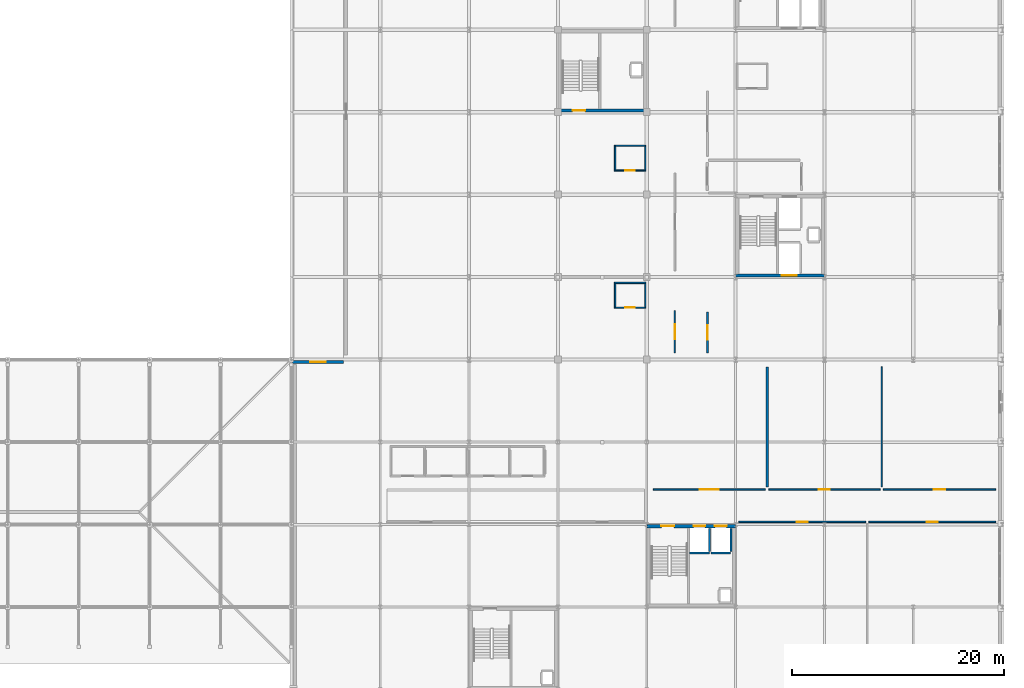
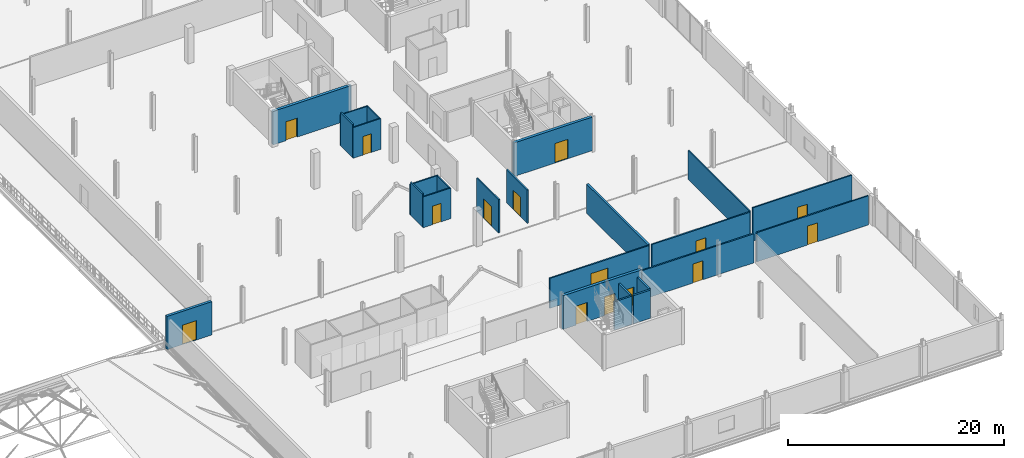
# One storey, part 59 of 77: 25 walls, 15 doors, 15 openings.
"""IFC4 building model written with IfcOpenShell, lengths in metres."""

from ifc_helpers import new_model, si_unit, direction, frame, frame_2d, origin, place, context, subcontext, project, spatial, rectangle, extrude, material, layer, layer_set, type_object, element, fill, save


model = new_model("IFC4")

# Units and contexts
model_context = context("Model", 3, precision=1e-05, world=origin(), true_north=direction((0.0, 1.0)))
body_context = subcontext(model_context, "Body", "Model", "MODEL_VIEW")
ifc_project = project(units=[si_unit("LENGTHUNIT", "METRE"), si_unit("AREAUNIT", "SQUARE_METRE"), si_unit("VOLUMEUNIT", "CUBIC_METRE"), si_unit("PLANEANGLEUNIT", "RADIAN"), si_unit("MASSUNIT", "GRAM", prefix="KILO")], contexts=[model_context])

# Site, building, storey
site_placement = place(None, origin())
site = spatial("IfcSite", under=ifc_project, at=site_placement, CompositionType="ELEMENT")
building_placement = place(site_placement, origin())
building = spatial("IfcBuilding", under=site, at=building_placement, Name="Nabrawat Pavilion Hospital", CompositionType="ELEMENT")
storey_placement = place(building_placement, frame((0.0, 0.0, 14.85009765625)))
storey = spatial("IfcBuildingStorey", under=building, at=storey_placement, Name="L03", CompositionType="ELEMENT", Elevation=14.85009765625)

# Wall, opening, door
ifc_material_1 = material(Name="Gypsum Fireboard on Steel Stud", Category="steel")
ifc_layer_1 = layer(ifc_material_1, 0.14990234375, Name="Gypsum Fireboard on Steel Stud")
ifc_layer_set_1 = layer_set([ifc_layer_1], Name="Gypsum Fireboard on Steel Stud")
wall_type_1 = type_object("IfcWallType", Name="Clinical Corridor Smoke-Barrier Wall 150", PredefinedType="PARTITIONING", material=ifc_layer_set_1)
wall_1_placement = place(storey_placement, frame((168.320068359375, 23.659912109375, 0.0), z_axis=(0.0, 0.0, 1.0), x_axis=(1.0, 0.0, 0.0)))
wall_1 = element("IfcWall", 1, at=wall_1_placement, inside=storey, type_object=wall_type_1, Name="L03 Outpatient Clinic Nephrology Room L03-03 Front Partition", PredefinedType="PARTITIONING", context=body_context, shape_type="SweptSolid", body=[
    extrude(rectangle(XDim=11.969970703125, YDim=0.14990234375, at=frame_2d((5.98486328125, 0.0))), origin(), (0.0, 0.0, 1.0), 3.2998046875),
])
opening_1_placement = place(wall_1_placement, frame((5.4599609375, 0.0, 0.0)))
opening_1 = element("IfcOpeningElement", 2, at=opening_1_placement, cuts=wall_1, Name="Opening D-OPC-R", PredefinedType="OPENING", context=body_context, shape_type="SweptSolid", body=[
    extrude(rectangle(XDim=1.050048828125, YDim=2.14990234375, at=frame_2d((0.52490234375, 1.074951171875))), frame((0.0, 0.0849609375, 0.0), z_axis=(0.0, -1.0, 0.0), x_axis=(1.0, 0.0, 0.0)), (0.0, 0.0, 1.0), 0.169921875),
])
ifc_material_2 = material(Name="Stainless-Clad Acoustic Timber and Vision Glass", Category="wood")
door_type_1 = type_object("IfcDoorType", Name="Outpatient Clinic Consultation Door R 1050x2150", OperationType="NOTDEFINED", PredefinedType="DOOR", material=ifc_material_2)
door_1_placement = place(opening_1_placement, origin())
door_1 = element("IfcDoor", 3, at=door_1_placement, inside=storey, type_object=door_type_1, Name="Outpatient Clinic Nephrology Room L03-03 Door", OperationType="SINGLE_SWING_LEFT", OverallHeight=2.14990234375, OverallWidth=1.050048828125, PredefinedType="DOOR", context=body_context, shape_type="SweptSolid", body=[
    extrude(rectangle(XDim=1.050048828125, YDim=2.14990234375, at=frame_2d((0.52490234375, 1.074951171875))), frame((0.0, 0.02490234375, 0.0), z_axis=(0.0, -1.0, 0.0), x_axis=(1.0, 0.0, 0.0)), (0.0, 0.0, 1.0), 0.050048828125),
])
fill(opening_1, door_1)

wall_2_placement = place(storey_placement, frame((180.610107421875, 23.659912109375, 0.0), z_axis=(0.0, 0.0, 1.0), x_axis=(1.0, 0.0, 0.0)))
wall_2 = element("IfcWall", 4, at=wall_2_placement, inside=storey, type_object=wall_type_1, Name="L03 Outpatient Clinic Gastroenterology Room L03-04 Front Partition", PredefinedType="PARTITIONING", context=body_context, shape_type="SweptSolid", body=[
    extrude(rectangle(XDim=11.969970703125, YDim=0.14990234375, at=frame_2d((5.98486328125, 0.0))), origin(), (0.0, 0.0, 1.0), 3.2998046875),
])
opening_2_placement = place(wall_2_placement, frame((5.4599609375, 0.0, 0.0)))
opening_2 = element("IfcOpeningElement", 5, at=opening_2_placement, cuts=wall_2, Name="Opening D-OPC-L", PredefinedType="OPENING", context=body_context, shape_type="SweptSolid", body=[
    extrude(rectangle(XDim=1.050048828125, YDim=2.14990234375, at=frame_2d((0.52490234375, 1.074951171875))), frame((0.0, 0.0849609375, 0.0), z_axis=(0.0, -1.0, 0.0), x_axis=(1.0, 0.0, 0.0)), (0.0, 0.0, 1.0), 0.169921875),
])
door_type_2 = type_object("IfcDoorType", Name="Outpatient Clinic Consultation Door L 1050x2150", OperationType="NOTDEFINED", PredefinedType="DOOR", material=ifc_material_2)
door_2_placement = place(opening_2_placement, origin())
door_2 = element("IfcDoor", 6, at=door_2_placement, inside=storey, type_object=door_type_2, Name="Outpatient Clinic Gastroenterology Room L03-04 Door", OperationType="SINGLE_SWING_RIGHT", OverallHeight=2.14990234375, OverallWidth=1.050048828125, PredefinedType="DOOR", context=body_context, shape_type="SweptSolid", body=[
    extrude(rectangle(XDim=1.050048828125, YDim=2.14990234375, at=frame_2d((0.52490234375, 1.074951171875))), frame((0.0, 0.02490234375, 0.0), z_axis=(0.0, -1.0, 0.0), x_axis=(1.0, 0.0, 0.0)), (0.0, 0.0, 1.0), 0.050048828125),
])
fill(opening_2, door_2)

wall_3_placement = place(storey_placement, frame((160.219970703125, 26.739990234375, 0.0), z_axis=(0.0, 0.0, 1.0), x_axis=(1.0, 0.0, 0.0)))
wall_3 = element("IfcWall", 7, at=wall_3_placement, inside=storey, type_object=wall_type_1, Name="L03 Day-Case Operating Room L03-05 Front Partition", PredefinedType="PARTITIONING", context=body_context, shape_type="SweptSolid", body=[
    extrude(rectangle(XDim=10.60009765625, YDim=0.14990234375, at=frame_2d((5.300048828125, 0.0))), origin(), (0.0, 0.0, 1.0), 3.39990234375),
])
opening_3_placement = place(wall_3_placement, frame((4.39990234375, 0.0, 0.0)))
opening_3 = element("IfcOpeningElement", 8, at=opening_3_placement, cuts=wall_3, Name="Opening D-OR", PredefinedType="OPENING", context=body_context, shape_type="SweptSolid", body=[
    extrude(rectangle(XDim=1.800048828125, YDim=2.39990234375, at=frame_2d((0.89990234375, 1.199951171875))), frame((0.0, 0.0849609375, 0.0), z_axis=(0.0, -1.0, 0.0), x_axis=(1.0, 0.0, 0.0)), (0.0, 0.0, 1.0), 0.169921875),
])
door_type_3 = type_object("IfcDoorType", Name="D-OR Hermetic Operating Theatre Automatic Door 1800x2400", OperationType="DOUBLE_DOOR_SLIDING", PredefinedType="DOOR", material=ifc_material_2)
door_3_placement = place(opening_3_placement, origin())
door_3 = element("IfcDoor", 9, at=door_3_placement, inside=storey, type_object=door_type_3, Name="Day-Case Operating Room L03-05 Door", OperationType="DOUBLE_DOOR_SLIDING", OverallHeight=2.39990234375, OverallWidth=1.800048828125, PredefinedType="DOOR", context=body_context, shape_type="SweptSolid", body=[
    extrude(rectangle(XDim=1.800048828125, YDim=2.39990234375, at=frame_2d((0.89990234375, 1.199951171875))), frame((0.0, 0.02490234375, 0.0), z_axis=(0.0, -1.0, 0.0), x_axis=(1.0, 0.0, 0.0)), (0.0, 0.0, 1.0), 0.050048828125),
])
fill(opening_3, door_3)

wall_4_placement = place(storey_placement, frame((171.139892578125, 26.739990234375, 0.0), z_axis=(0.0, 0.0, 1.0), x_axis=(1.0, 0.0, 0.0)))
wall_4 = element("IfcWall", 10, at=wall_4_placement, inside=storey, type_object=wall_type_1, Name="L03 Day-Case Recovery Lounge L03-06 Front Partition", PredefinedType="PARTITIONING", context=body_context, shape_type="SweptSolid", body=[
    extrude(rectangle(XDim=10.52001953125, YDim=0.14990234375, at=frame_2d((5.260009765625, 0.0))), origin(), (0.0, 0.0, 1.0), 3.39990234375),
])
opening_4_placement = place(wall_4_placement, frame((4.735107421875, 0.0, 0.0)))
opening_4 = element("IfcOpeningElement", 11, at=opening_4_placement, cuts=wall_4, Name="Opening D-OPC-L", PredefinedType="OPENING", context=body_context, shape_type="SweptSolid", body=[
    extrude(rectangle(XDim=1.050048828125, YDim=2.14990234375, at=frame_2d((0.52490234375, 1.074951171875))), frame((0.0, 0.0849609375, 0.0), z_axis=(0.0, -1.0, 0.0), x_axis=(1.0, 0.0, 0.0)), (0.0, 0.0, 1.0), 0.169921875),
])
door_4_placement = place(opening_4_placement, origin())
door_4 = element("IfcDoor", 12, at=door_4_placement, inside=storey, type_object=door_type_2, Name="Day-Case Recovery Lounge L03-06 Door", OperationType="SINGLE_SWING_RIGHT", OverallHeight=2.14990234375, OverallWidth=1.050048828125, PredefinedType="DOOR", context=body_context, shape_type="SweptSolid", body=[
    extrude(rectangle(XDim=1.050048828125, YDim=2.14990234375, at=frame_2d((0.52490234375, 1.074951171875))), frame((0.0, 0.02490234375, 0.0), z_axis=(0.0, -1.0, 0.0), x_axis=(1.0, 0.0, 0.0)), (0.0, 0.0, 1.0), 0.050048828125),
])
fill(opening_4, door_4)

wall_5_placement = place(storey_placement, frame((181.97998046875, 26.739990234375, 0.0), z_axis=(0.0, 0.0, 1.0), x_axis=(1.0, 0.0, 0.0)))
wall_5 = element("IfcWall", 13, at=wall_5_placement, inside=storey, type_object=wall_type_1, Name="L03 Outpatient Clinic Oncology Consultation Room L03-07 Front Partition", PredefinedType="PARTITIONING", context=body_context, shape_type="SweptSolid", body=[
    extrude(rectangle(XDim=10.60009765625, YDim=0.14990234375, at=frame_2d((5.300048828125, 0.0))), origin(), (0.0, 0.0, 1.0), 3.77001953125),
])
opening_5_placement = place(wall_5_placement, frame((4.77490234375, 0.0, 0.0)))
opening_5 = element("IfcOpeningElement", 14, at=opening_5_placement, cuts=wall_5, Name="Opening D-OPC-R", PredefinedType="OPENING", context=body_context, shape_type="SweptSolid", body=[
    extrude(rectangle(XDim=1.050048828125, YDim=2.14990234375, at=frame_2d((0.52490234375, 1.074951171875))), frame((0.0, 0.0849609375, 0.0), z_axis=(0.0, -1.0, 0.0), x_axis=(1.0, 0.0, 0.0)), (0.0, 0.0, 1.0), 0.169921875),
])
door_5_placement = place(opening_5_placement, origin())
door_5 = element("IfcDoor", 15, at=door_5_placement, inside=storey, type_object=door_type_1, Name="Outpatient Clinic Oncology Consultation Room L03-07 Door", OperationType="SINGLE_SWING_LEFT", OverallHeight=2.14990234375, OverallWidth=1.050048828125, PredefinedType="DOOR", context=body_context, shape_type="SweptSolid", body=[
    extrude(rectangle(XDim=1.050048828125, YDim=2.14990234375, at=frame_2d((0.52490234375, 1.074951171875))), frame((0.0, 0.02490234375, 0.0), z_axis=(0.0, -1.0, 0.0), x_axis=(1.0, 0.0, 0.0)), (0.0, 0.0, 1.0), 0.050048828125),
])
fill(opening_5, door_5)

wall_6_placement = place(storey_placement, frame((162.260009765625, 39.6201171875, 0.0), z_axis=(0.0, 0.0, 1.0), x_axis=(0.0, 1.0, 0.0)))
wall_6 = element("IfcWall", 16, at=wall_6_placement, inside=storey, type_object=wall_type_1, Name="L03 Inpatient Ward Cardiology Single Bedroom L03-01 Front Partition", PredefinedType="PARTITIONING", context=body_context, shape_type="SweptSolid", body=[
    extrude(rectangle(XDim=4.0498046875, YDim=0.14990234375, at=frame_2d((2.02490234375, 0.0))), origin(), (0.0, 0.0, 1.0), 3.77001953125),
])
opening_6_placement = place(wall_6_placement, frame((1.324951171875, 0.0, 0.0)))
opening_6 = element("IfcOpeningElement", 17, at=opening_6_placement, cuts=wall_6, Name="Opening D-BED", PredefinedType="OPENING", context=body_context, shape_type="SweptSolid", body=[
    extrude(rectangle(XDim=1.39990234375, YDim=2.199951171875, at=frame_2d((0.699951171875, 1.10009765625))), frame((0.0, 0.0849609375, 0.0), z_axis=(0.0, -1.0, 0.0), x_axis=(1.0, 0.0, 0.0)), (0.0, 0.0, 1.0), 0.169921875),
])
door_type_4 = type_object("IfcDoorType", Name="D-BED Inpatient Ward Leaf-and-a-Half Door 1400x2200", OperationType="NOTDEFINED", PredefinedType="DOOR", material=ifc_material_2)
door_6_placement = place(opening_6_placement, origin())
door_6 = element("IfcDoor", 18, at=door_6_placement, inside=storey, type_object=door_type_4, Name="Inpatient Ward Cardiology Single Bedroom L03-01 Door", OperationType="SINGLE_SWING_RIGHT", OverallHeight=2.199951171875, OverallWidth=1.39990234375, PredefinedType="DOOR", context=body_context, shape_type="SweptSolid", body=[
    extrude(rectangle(XDim=1.39990234375, YDim=2.199951171875, at=frame_2d((0.699951171875, 1.10009765625))), frame((0.0, 0.02490234375, 0.0), z_axis=(0.0, -1.0, 0.0), x_axis=(1.0, 0.0, 0.0)), (0.0, 0.0, 1.0), 0.050048828125),
])
fill(opening_6, door_6)

wall_7_placement = place(storey_placement, frame((165.340087890625, 39.6201171875, 0.0), z_axis=(0.0, 0.0, 1.0), x_axis=(0.0, 1.0, 0.0)))
wall_7 = element("IfcWall", 19, at=wall_7_placement, inside=storey, type_object=wall_type_1, Name="L03 Inpatient Ward Cardiology Single Bedroom L03-07 Front Partition", PredefinedType="PARTITIONING", context=body_context, shape_type="SweptSolid", body=[
    extrude(rectangle(XDim=3.8798828125, YDim=0.14990234375, at=frame_2d((1.93994140625, 0.0))), origin(), (0.0, 0.0, 1.0), 3.77001953125),
])
opening_7_placement = place(wall_7_placement, frame((1.239990234375, 0.0, 0.0)))
opening_7 = element("IfcOpeningElement", 20, at=opening_7_placement, cuts=wall_7, Name="Opening D-BED", PredefinedType="OPENING", context=body_context, shape_type="SweptSolid", body=[
    extrude(rectangle(XDim=1.39990234375, YDim=2.199951171875, at=frame_2d((0.699951171875, 1.10009765625))), frame((0.0, 0.0849609375, 0.0), z_axis=(0.0, -1.0, 0.0), x_axis=(1.0, 0.0, 0.0)), (0.0, 0.0, 1.0), 0.169921875),
])
door_7_placement = place(opening_7_placement, origin())
door_7 = element("IfcDoor", 21, at=door_7_placement, inside=storey, type_object=door_type_4, Name="Inpatient Ward Cardiology Single Bedroom L03-07 Door", OperationType="SINGLE_SWING_RIGHT", OverallHeight=2.199951171875, OverallWidth=1.39990234375, PredefinedType="DOOR", context=body_context, shape_type="SweptSolid", body=[
    extrude(rectangle(XDim=1.39990234375, YDim=2.199951171875, at=frame_2d((0.699951171875, 1.10009765625))), frame((0.0, 0.02490234375, 0.0), z_axis=(0.0, -1.0, 0.0), x_axis=(1.0, 0.0, 0.0)), (0.0, 0.0, 1.0), 0.050048828125),
])
fill(opening_7, door_7)

ifc_material_3 = material(Name="Cement Board on Steel Stud", Category="steel")
ifc_layer_2 = layer(ifc_material_3, 0.1298828125, Name="Cement Board on Steel Stud")
ifc_layer_set_2 = layer_set([ifc_layer_2], Name="Cement Board on Steel Stud")
wall_type_2 = type_object("IfcWallType", Name="En-Suite Moisture-Resistant Partition 130", PredefinedType="PARTITIONING", material=ifc_layer_set_2)
wall_8_placement = place(storey_placement, frame((156.544921875, 43.909912109375, 0.0), z_axis=(0.0, 0.0, 1.0), x_axis=(1.0, 0.0, 0.0)))
wall_8 = element("IfcWall", 22, at=wall_8_placement, inside=storey, type_object=wall_type_2, Name="L03 En-Suite Bathroom WRD-CRD-01 Front Partition", PredefinedType="PARTITIONING", context=body_context, shape_type="SweptSolid", body=[
    extrude(rectangle(XDim=2.97998046875, YDim=0.1298828125, at=frame_2d((1.489990234375, 0.0))), origin(), (0.0, 0.0, 1.0), 3.47998046875),
])
opening_8_placement = place(wall_8_placement, frame((1.0400390625, 0.0, 0.0)))
opening_8 = element("IfcOpeningElement", 23, at=opening_8_placement, cuts=wall_8, Name="Opening D-ENS-R", PredefinedType="OPENING", context=body_context, shape_type="SweptSolid", body=[
    extrude(rectangle(XDim=0.89990234375, YDim=2.10009765625, at=frame_2d((0.449951171875, 1.050048828125))), frame((0.0, 0.074951171875, 0.0), z_axis=(0.0, -1.0, 0.0), x_axis=(1.0, 0.0, 0.0)), (0.0, 0.0, 1.0), 0.14990234375),
])
door_type_5 = type_object("IfcDoorType", Name="En-Suite Bathroom Outward Door R 900x2100", OperationType="NOTDEFINED", PredefinedType="DOOR", material=ifc_material_2)
door_8_placement = place(opening_8_placement, origin())
door_8 = element("IfcDoor", 24, at=door_8_placement, inside=storey, type_object=door_type_5, Name="En-Suite Bathroom WRD-CRD-01 Door", OperationType="SINGLE_SWING_LEFT", OverallHeight=2.10009765625, OverallWidth=0.89990234375, PredefinedType="DOOR", context=body_context, shape_type="SweptSolid", body=[
    extrude(rectangle(XDim=0.89990234375, YDim=2.10009765625, at=frame_2d((0.449951171875, 1.050048828125))), frame((0.0, 0.02490234375, 0.0), z_axis=(0.0, -1.0, 0.0), x_axis=(1.0, 0.0, 0.0)), (0.0, 0.0, 1.0), 0.050048828125),
])
fill(opening_8, door_8)

# Walls
wall_9_placement = place(storey_placement, frame((156.544921875, 46.260009765625, 0.0), z_axis=(0.0, 0.0, 1.0), x_axis=(1.0, 0.0, 0.0)))
element("IfcWall", 25, at=wall_9_placement, inside=storey, type_object=wall_type_2, Name="L03 En-Suite Bathroom WRD-CRD-01 North Partition", PredefinedType="PARTITIONING", context=body_context, shape_type="SweptSolid", body=[
    extrude(rectangle(XDim=2.97998046875, YDim=0.1298828125, at=frame_2d((1.489990234375, 0.0))), origin(), (0.0, 0.0, 1.0), 3.47998046875),
])
wall_10_placement = place(storey_placement, frame((156.610107421875, 43.97509765625, 0.0), z_axis=(0.0, 0.0, 1.0), x_axis=(0.0, 1.0, 0.0)))
element("IfcWall", 26, at=wall_10_placement, inside=storey, type_object=wall_type_2, Name="L03 En-Suite Bathroom WRD-CRD-01 West Partition", PredefinedType="PARTITIONING", context=body_context, shape_type="SweptSolid", body=[
    extrude(rectangle(XDim=2.219970703125, YDim=0.1298828125, at=frame_2d((1.10986328125, 0.0))), origin(), (0.0, 0.0, 1.0), 3.77001953125),
])
wall_11_placement = place(storey_placement, frame((159.4599609375, 43.97509765625, 0.0), z_axis=(0.0, 0.0, 1.0), x_axis=(0.0, 1.0, 0.0)))
element("IfcWall", 27, at=wall_11_placement, inside=storey, type_object=wall_type_2, Name="L03 En-Suite Bathroom WRD-CRD-01 East Partition", PredefinedType="PARTITIONING", context=body_context, shape_type="SweptSolid", body=[
    extrude(rectangle(XDim=2.219970703125, YDim=0.1298828125, at=frame_2d((1.10986328125, 0.0))), origin(), (0.0, 0.0, 1.0), 3.47998046875),
])

# Wall, opening, door
wall_12_placement = place(storey_placement, frame((156.544921875, 56.8798828125, 0.0), z_axis=(0.0, 0.0, 1.0), x_axis=(1.0, 0.0, 0.0)))
wall_12 = element("IfcWall", 28, at=wall_12_placement, inside=storey, type_object=wall_type_2, Name="L03 En-Suite Bathroom WRD-CR2-02 Front Partition", PredefinedType="PARTITIONING", context=body_context, shape_type="SweptSolid", body=[
    extrude(rectangle(XDim=2.97998046875, YDim=0.1298828125, at=frame_2d((1.489990234375, 0.0))), origin(), (0.0, 0.0, 1.0), 3.47998046875),
])
opening_9_placement = place(wall_12_placement, frame((1.0400390625, 0.0, 0.0)))
opening_9 = element("IfcOpeningElement", 29, at=opening_9_placement, cuts=wall_12, Name="Opening D-ENS-R", PredefinedType="OPENING", context=body_context, shape_type="SweptSolid", body=[
    extrude(rectangle(XDim=0.89990234375, YDim=2.10009765625, at=frame_2d((0.449951171875, 1.050048828125))), frame((0.0, 0.074951171875, 0.0), z_axis=(0.0, -1.0, 0.0), x_axis=(1.0, 0.0, 0.0)), (0.0, 0.0, 1.0), 0.14990234375),
])
door_9_placement = place(opening_9_placement, origin())
door_9 = element("IfcDoor", 30, at=door_9_placement, inside=storey, type_object=door_type_5, Name="En-Suite Bathroom WRD-CR2-02 Door", OperationType="SINGLE_SWING_LEFT", OverallHeight=2.10009765625, OverallWidth=0.89990234375, PredefinedType="DOOR", context=body_context, shape_type="SweptSolid", body=[
    extrude(rectangle(XDim=0.89990234375, YDim=2.10009765625, at=frame_2d((0.449951171875, 1.050048828125))), frame((0.0, 0.02490234375, 0.0), z_axis=(0.0, -1.0, 0.0), x_axis=(1.0, 0.0, 0.0)), (0.0, 0.0, 1.0), 0.050048828125),
])
fill(opening_9, door_9)

# Walls
wall_13_placement = place(storey_placement, frame((156.544921875, 59.22998046875, 0.0), z_axis=(0.0, 0.0, 1.0), x_axis=(1.0, 0.0, 0.0)))
element("IfcWall", 31, at=wall_13_placement, inside=storey, type_object=wall_type_2, Name="L03 En-Suite Bathroom WRD-CR2-02 North Partition", PredefinedType="PARTITIONING", context=body_context, shape_type="SweptSolid", body=[
    extrude(rectangle(XDim=2.97998046875, YDim=0.1298828125, at=frame_2d((1.489990234375, 0.0))), origin(), (0.0, 0.0, 1.0), 3.47998046875),
])
wall_14_placement = place(storey_placement, frame((156.610107421875, 56.945068359375, 0.0), z_axis=(0.0, 0.0, 1.0), x_axis=(0.0, 1.0, 0.0)))
element("IfcWall", 32, at=wall_14_placement, inside=storey, type_object=wall_type_2, Name="L03 En-Suite Bathroom WRD-CR2-02 West Partition", PredefinedType="PARTITIONING", context=body_context, shape_type="SweptSolid", body=[
    extrude(rectangle(XDim=2.219970703125, YDim=0.1298828125, at=frame_2d((1.10986328125, 0.0))), origin(), (0.0, 0.0, 1.0), 3.77001953125),
])
wall_15_placement = place(storey_placement, frame((159.4599609375, 56.945068359375, 0.0), z_axis=(0.0, 0.0, 1.0), x_axis=(0.0, 1.0, 0.0)))
element("IfcWall", 33, at=wall_15_placement, inside=storey, type_object=wall_type_2, Name="L03 En-Suite Bathroom WRD-CR2-02 East Partition", PredefinedType="PARTITIONING", context=body_context, shape_type="SweptSolid", body=[
    extrude(rectangle(XDim=2.219970703125, YDim=0.1298828125, at=frame_2d((1.10986328125, 0.0))), origin(), (0.0, 0.0, 1.0), 3.47998046875),
])

# Wall, opening, door
ifc_material_4 = material(Name="Precast concrete C40/50", Category="concrete")
ifc_layer_3 = layer(ifc_material_4, 0.280029296875, Name="Precast concrete C40/50")
ifc_layer_set_3 = layer_set([ifc_layer_3], Name="Precast concrete C40/50")
wall_type_3 = type_object("IfcWallType", Name="Insulated Precast Facade Wall 280", PredefinedType="SOLIDWALL", material=ifc_layer_set_3)
wall_16_placement = place(storey_placement, frame((126.1201171875, 38.780029296875, 0.0), z_axis=(0.0, 0.0, 1.0), x_axis=(1.0, 0.0, 0.0)))
wall_16 = element("IfcWall", 34, at=wall_16_placement, inside=storey, type_object=wall_type_3, Name="L03 Insulated Precast Facade Wall 280 328", PredefinedType="SOLIDWALL", context=body_context, shape_type="SweptSolid", body=[
    extrude(rectangle(XDim=4.7998046875, YDim=0.280029296875, at=frame_2d((2.39990234375, 0.0))), origin(), (0.0, 0.0, 1.0), 3.77001953125),
])
opening_10_placement = place(wall_16_placement, frame((1.64990234375, 0.0, 0.0)))
opening_10 = element("IfcOpeningElement", 35, at=opening_10_placement, cuts=wall_16, Name="Opening ED-TER-150", PredefinedType="OPENING", context=body_context, shape_type="SweptSolid", body=[
    extrude(rectangle(XDim=1.5, YDim=2.199951171875, at=frame_2d((0.75, 1.10009765625))), frame((0.0, 0.14990234375, 0.0), z_axis=(0.0, -1.0, 0.0), x_axis=(1.0, 0.0, 0.0)), (0.0, 0.0, 1.0), 0.300048828125),
])
ifc_material_5 = material(Name="Powder-Coated Galvanised Steel and Safety Glass", Category="steel")
door_type_6 = type_object("IfcDoorType", Name="Clinical Recovery Terrace Double Door 1500x2200", OperationType="NOTDEFINED", PredefinedType="DOOR", material=ifc_material_5)
door_10_placement = place(opening_10_placement, origin())
door_10 = element("IfcDoor", 36, at=door_10_placement, inside=storey, type_object=door_type_6, Name="L03 Clinical Recovery Terrace Door T_L03_WARD_STEP1_S", OperationType="DOUBLE_DOOR_SINGLE_SWING", OverallHeight=2.199951171875, OverallWidth=1.5, PredefinedType="DOOR", context=body_context, shape_type="SweptSolid", body=[
    extrude(rectangle(XDim=1.5, YDim=2.199951171875, at=frame_2d((0.75, 1.10009765625))), frame((0.0, 0.02490234375, 0.0), z_axis=(0.0, -1.0, 0.0), x_axis=(1.0, 0.0, 0.0)), (0.0, 0.0, 1.0), 0.050048828125),
])
fill(opening_10, door_10)

# Walls
ifc_material_6 = material(Name="Concrete C35/45", Category="concrete")
ifc_layer_4 = layer(ifc_material_6, 0.199951171875, Name="Concrete C35/45")
ifc_layer_set_4 = layer_set([ifc_layer_4], Name="Concrete C35/45")
wall_type_4 = type_object("IfcWallType", Name="Lift and Riser Fire Shaft Wall 200", PredefinedType="PARTITIONING", material=ifc_layer_set_4)
wall_17_placement = place(storey_placement, frame((165.5400390625, 20.8798828125, 0.0), z_axis=(0.0, 0.0, 1.0), x_axis=(0.0, 1.0, 0.0)))
element("IfcWall", 37, at=wall_17_placement, inside=storey, type_object=wall_type_4, Name="L03 Lift LP-03 Shaft East Wall", PredefinedType="PARTITIONING", context=body_context, shape_type="SweptSolid", body=[
    extrude(rectangle(XDim=2.14013671875, YDim=0.199951171875, at=frame_2d((1.070068359375, 0.0))), origin(), (0.0, 0.0, 1.0), 3.199951171875),
])
wall_18_placement = place(storey_placement, frame((163.64990234375, 20.719970703125, 0.0), z_axis=(0.0, 0.0, 1.0), x_axis=(1.0, 0.0, 0.0)))
element("IfcWall", 38, at=wall_18_placement, inside=storey, type_object=wall_type_4, Name="L03 Lift LP-03 Shaft Back Wall", PredefinedType="PARTITIONING", context=body_context, shape_type="SweptSolid", body=[
    extrude(rectangle(XDim=1.860107421875, YDim=0.199951171875, at=frame_2d((0.93017578125, 0.0))), origin(), (0.0, 0.0, 1.0), 3.199951171875),
])
wall_19_placement = place(storey_placement, frame((167.56005859375, 20.8798828125, 0.0), z_axis=(0.0, 0.0, 1.0), x_axis=(0.0, 1.0, 0.0)))
element("IfcWall", 39, at=wall_19_placement, inside=storey, type_object=wall_type_4, Name="L03 Lift LP-04 Shaft East Wall", PredefinedType="PARTITIONING", context=body_context, shape_type="SweptSolid", body=[
    extrude(rectangle(XDim=2.14013671875, YDim=0.199951171875, at=frame_2d((1.070068359375, 0.0))), origin(), (0.0, 0.0, 1.0), 3.199951171875),
])
wall_20_placement = place(storey_placement, frame((165.669921875, 20.719970703125, 0.0), z_axis=(0.0, 0.0, 1.0), x_axis=(1.0, 0.0, 0.0)))
element("IfcWall", 40, at=wall_20_placement, inside=storey, type_object=wall_type_4, Name="L03 Lift LP-04 Shaft Back Wall", PredefinedType="PARTITIONING", context=body_context, shape_type="SweptSolid", body=[
    extrude(rectangle(XDim=1.860107421875, YDim=0.199951171875, at=frame_2d((0.93017578125, 0.0))), origin(), (0.0, 0.0, 1.0), 3.199951171875),
])
ifc_material_7 = material(Name="Gypsum Plasterboard on Stud", Category="gypsum")
ifc_layer_5 = layer(ifc_material_7, 0.1201171875, Name="Gypsum Plasterboard on Stud")
ifc_layer_set_5 = layer_set([ifc_layer_5], Name="Gypsum Plasterboard on Stud")
wall_type_5 = type_object("IfcWallType", Name="Outpatient Consultation Partition 120", PredefinedType="PARTITIONING", material=ifc_layer_set_5)
wall_21_placement = place(storey_placement, frame((181.820068359375, 26.9599609375, 0.0), z_axis=(0.0, 0.0, 1.0), x_axis=(0.0, 1.0, 0.0)))
element("IfcWall", 41, at=wall_21_placement, inside=storey, type_object=wall_type_5, Name="L03 Day-Case Recovery Lounge L03-06 Dividing Partition", PredefinedType="PARTITIONING", context=body_context, shape_type="SweptSolid", body=[
    extrude(rectangle(XDim=11.35009765625, YDim=0.1201171875, at=frame_2d((5.675048828125, 0.0))), origin(), (0.0, 0.0, 1.0), 3.2998046875),
])

# Wall, openings, doors
ifc_material_8 = material(Name="Concrete C40/50", Category="concrete")
ifc_layer_6 = layer(ifc_material_8, 0.300048828125, Name="Concrete C40/50")
ifc_layer_set_6 = layer_set([ifc_layer_6], Name="Concrete C40/50")
wall_type_6 = type_object("IfcWallType", Name="Reinforced Concrete Core Shear Wall 300", PredefinedType="SHEAR", material=ifc_layer_set_6)
wall_22_placement = place(storey_placement, frame((159.60009765625, 23.25, 0.0), z_axis=(0.0, 0.0, 1.0), x_axis=(1.0, 0.0, 0.0)))
wall_22 = element("IfcWall", 42, at=wall_22_placement, inside=storey, type_object=wall_type_6, Name="L03 CORE-4 North Core Shear Wall", PredefinedType="SHEAR", context=body_context, shape_type="SweptSolid", body=[
    extrude(rectangle(XDim=8.39990234375, YDim=0.300048828125, at=frame_2d((4.199951171875, 0.0))), origin(), (0.0, 0.0, 1.0), 3.81982421875),
])
opening_11_placement = place(wall_22_placement, frame((1.3798828125, 0.0, 0.0)))
opening_11 = element("IfcOpeningElement", 43, at=opening_11_placement, cuts=wall_22, Name="Opening D-STAIR", PredefinedType="OPENING", context=body_context, shape_type="SweptSolid", body=[
    extrude(rectangle(XDim=1.199951171875, YDim=2.14990234375, at=frame_2d((0.60009765625, 1.074951171875))), frame((0.0, 0.16015625, 0.0), z_axis=(0.0, -1.0, 0.0), x_axis=(1.0, 0.0, 0.0)), (0.0, 0.0, 1.0), 0.320068359375),
])
opening_12_placement = place(wall_22_placement, frame((4.429931640625, 0.0, 0.0)))
opening_12 = element("IfcOpeningElement", 44, at=opening_12_placement, cuts=wall_22, Name="Opening LD-LP-03", PredefinedType="OPENING", context=body_context, shape_type="SweptSolid", body=[
    extrude(rectangle(XDim=1.10009765625, YDim=2.14990234375, at=frame_2d((0.550048828125, 1.074951171875))), frame((0.0, 0.16015625, 0.0), z_axis=(0.0, -1.0, 0.0), x_axis=(1.0, 0.0, 0.0)), (0.0, 0.0, 1.0), 0.320068359375),
])
opening_13_placement = place(wall_22_placement, frame((6.449951171875, 0.0, 0.0)))
opening_13 = element("IfcOpeningElement", 45, at=opening_13_placement, cuts=wall_22, Name="Opening LD-LP-04", PredefinedType="OPENING", context=body_context, shape_type="SweptSolid", body=[
    extrude(rectangle(XDim=1.10009765625, YDim=2.14990234375, at=frame_2d((0.550048828125, 1.074951171875))), frame((0.0, 0.16015625, 0.0), z_axis=(0.0, -1.0, 0.0), x_axis=(1.0, 0.0, 0.0)), (0.0, 0.0, 1.0), 0.320068359375),
])
door_type_7 = type_object("IfcDoorType", Name="D-STAIR Exit Stair Fire Door 1200x2150", OperationType="NOTDEFINED", PredefinedType="DOOR", material=ifc_material_2)
door_11_placement = place(opening_11_placement, origin())
door_11 = element("IfcDoor", 46, at=door_11_placement, inside=storey, type_object=door_type_7, Name="L03 ST-04 Fire Exit Stair Door", OperationType="SINGLE_SWING_LEFT", OverallHeight=2.14990234375, OverallWidth=1.199951171875, PredefinedType="DOOR", context=body_context, shape_type="SweptSolid", body=[
    extrude(rectangle(XDim=1.199951171875, YDim=2.14990234375, at=frame_2d((0.60009765625, 1.074951171875))), frame((0.0, 0.02490234375, 0.0), z_axis=(0.0, -1.0, 0.0), x_axis=(1.0, 0.0, 0.0)), (0.0, 0.0, 1.0), 0.050048828125),
])
fill(opening_11, door_11)
door_type_8 = type_object("IfcDoorType", Name="Passenger Lift Sliding Landing Door 1100x2150", OperationType="DOUBLE_DOOR_SLIDING", PredefinedType="DOOR", material=ifc_material_2)
door_12_placement = place(opening_12_placement, origin())
door_12 = element("IfcDoor", 47, at=door_12_placement, inside=storey, type_object=door_type_8, Name="L03 Lift LP-03 Sliding Landing Door", OperationType="DOUBLE_DOOR_SLIDING", OverallHeight=2.14990234375, OverallWidth=1.10009765625, PredefinedType="DOOR", context=body_context, shape_type="SweptSolid", body=[
    extrude(rectangle(XDim=1.10009765625, YDim=2.14990234375, at=frame_2d((0.550048828125, 1.074951171875))), frame((0.0, 0.02490234375, 0.0), z_axis=(0.0, -1.0, 0.0), x_axis=(1.0, 0.0, 0.0)), (0.0, 0.0, 1.0), 0.050048828125),
])
fill(opening_12, door_12)
door_13_placement = place(opening_13_placement, origin())
door_13 = element("IfcDoor", 48, at=door_13_placement, inside=storey, type_object=door_type_8, Name="L03 Lift LP-04 Sliding Landing Door", OperationType="DOUBLE_DOOR_SLIDING", OverallHeight=2.14990234375, OverallWidth=1.10009765625, PredefinedType="DOOR", context=body_context, shape_type="SweptSolid", body=[
    extrude(rectangle(XDim=1.10009765625, YDim=2.14990234375, at=frame_2d((0.550048828125, 1.074951171875))), frame((0.0, 0.02490234375, 0.0), z_axis=(0.0, -1.0, 0.0), x_axis=(1.0, 0.0, 0.0)), (0.0, 0.0, 1.0), 0.050048828125),
])
fill(opening_13, door_13)

# Wall, opening, door
wall_23_placement = place(storey_placement, frame((168.0, 46.949951171875, 0.0), z_axis=(0.0, 0.0, 1.0), x_axis=(1.0, 0.0, 0.0)))
wall_23 = element("IfcWall", 49, at=wall_23_placement, inside=storey, type_object=wall_type_6, Name="L03 CORE-5 South Core Shear Wall", PredefinedType="SHEAR", context=body_context, shape_type="SweptSolid", body=[
    extrude(rectangle(XDim=8.39990234375, YDim=0.300048828125, at=frame_2d((4.199951171875, 0.0))), origin(), (0.0, 0.0, 1.0), 3.809814453125),
])
opening_14_placement = place(wall_23_placement, frame((4.3798828125, 0.0, 0.0)))
opening_14 = element("IfcOpeningElement", 50, at=opening_14_placement, cuts=wall_23, Name="Opening LD-LB-03", PredefinedType="OPENING", context=body_context, shape_type="SweptSolid", body=[
    extrude(rectangle(XDim=1.39990234375, YDim=2.199951171875, at=frame_2d((0.699951171875, 1.10009765625))), frame((0.0, 0.16015625, 0.0), z_axis=(0.0, -1.0, 0.0), x_axis=(1.0, 0.0, 0.0)), (0.0, 0.0, 1.0), 0.320068359375),
])
door_type_9 = type_object("IfcDoorType", Name="Hospital Bed Lift Sliding Landing Door 1400x2200", OperationType="DOUBLE_DOOR_SLIDING", PredefinedType="DOOR", material=ifc_material_2)
door_14_placement = place(opening_14_placement, origin())
door_14 = element("IfcDoor", 51, at=door_14_placement, inside=storey, type_object=door_type_9, Name="L03 Lift LB-03 Sliding Landing Door", OperationType="DOUBLE_DOOR_SLIDING", OverallHeight=2.199951171875, OverallWidth=1.39990234375, PredefinedType="DOOR", context=body_context, shape_type="SweptSolid", body=[
    extrude(rectangle(XDim=1.39990234375, YDim=2.199951171875, at=frame_2d((0.699951171875, 1.10009765625))), frame((0.0, 0.02490234375, 0.0), z_axis=(0.0, -1.0, 0.0), x_axis=(1.0, 0.0, 0.0)), (0.0, 0.0, 1.0), 0.050048828125),
])
fill(opening_14, door_14)

wall_24_placement = place(storey_placement, frame((151.199951171875, 62.550048828125, 0.0), z_axis=(0.0, 0.0, 1.0), x_axis=(1.0, 0.0, 0.0)))
wall_24 = element("IfcWall", 52, at=wall_24_placement, inside=storey, type_object=wall_type_6, Name="L03 CORE-9 South Core Shear Wall", PredefinedType="SHEAR", context=body_context, shape_type="SweptSolid", body=[
    extrude(rectangle(XDim=8.400146484375, YDim=0.300048828125, at=frame_2d((4.2001953125, 0.0))), origin(), (0.0, 0.0, 1.0), 3.809814453125),
])
opening_15_placement = place(wall_24_placement, frame((1.3798828125, 0.0, 0.0)))
opening_15 = element("IfcOpeningElement", 53, at=opening_15_placement, cuts=wall_24, Name="Opening D-STAIR", PredefinedType="OPENING", context=body_context, shape_type="SweptSolid", body=[
    extrude(rectangle(XDim=1.199951171875, YDim=2.14990234375, at=frame_2d((0.60009765625, 1.074951171875))), frame((0.0, 0.16015625, 0.0), z_axis=(0.0, -1.0, 0.0), x_axis=(1.0, 0.0, 0.0)), (0.0, 0.0, 1.0), 0.320068359375),
])
door_15_placement = place(opening_15_placement, origin())
door_15 = element("IfcDoor", 54, at=door_15_placement, inside=storey, type_object=door_type_7, Name="L03 ST-09 Fire Exit Stair Door", OperationType="SINGLE_SWING_RIGHT", OverallHeight=2.14990234375, OverallWidth=1.199951171875, PredefinedType="DOOR", context=body_context, shape_type="SweptSolid", body=[
    extrude(rectangle(XDim=1.199951171875, YDim=2.14990234375, at=frame_2d((0.60009765625, 1.074951171875))), frame((0.0, 0.02490234375, 0.0), z_axis=(0.0, -1.0, 0.0), x_axis=(1.0, 0.0, 0.0)), (0.0, 0.0, 1.0), 0.050048828125),
])
fill(opening_15, door_15)

# Wall
ifc_material_9 = material(Name="Hygienic Gypsum and Lead Core", Category="gypsum")
ifc_layer_7 = layer(ifc_material_9, 0.219970703125, Name="Hygienic Gypsum and Lead Core")
ifc_layer_set_7 = layer_set([ifc_layer_7], Name="Hygienic Gypsum and Lead Core")
wall_type_7 = type_object("IfcWallType", Name="Surgical Hygienic Lead-Shielded Wall 220", PredefinedType="PARTITIONING", material=ifc_layer_set_7)
wall_25_placement = place(storey_placement, frame((170.97998046875, 26.9599609375, 0.0), z_axis=(0.0, 0.0, 1.0), x_axis=(0.0, 1.0, 0.0)))
element("IfcWall", 55, at=wall_25_placement, inside=storey, type_object=wall_type_7, Name="L03 Day-Case Operating Room L03-05 Dividing Partition", PredefinedType="PARTITIONING", context=body_context, shape_type="SweptSolid", body=[
    extrude(rectangle(XDim=11.35009765625, YDim=0.219970703125, at=frame_2d((5.675048828125, 0.0))), origin(), (0.0, 0.0, 1.0), 3.2998046875),
])

save(model, "model.ifc")
